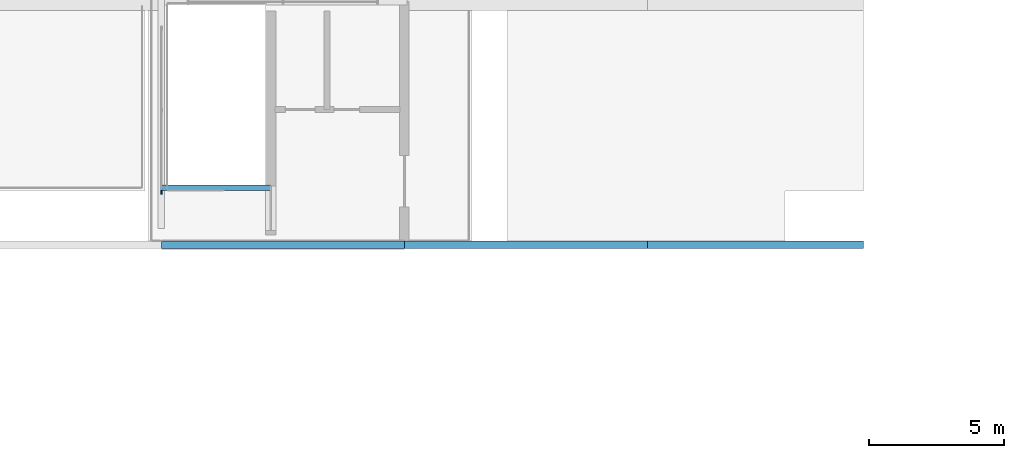
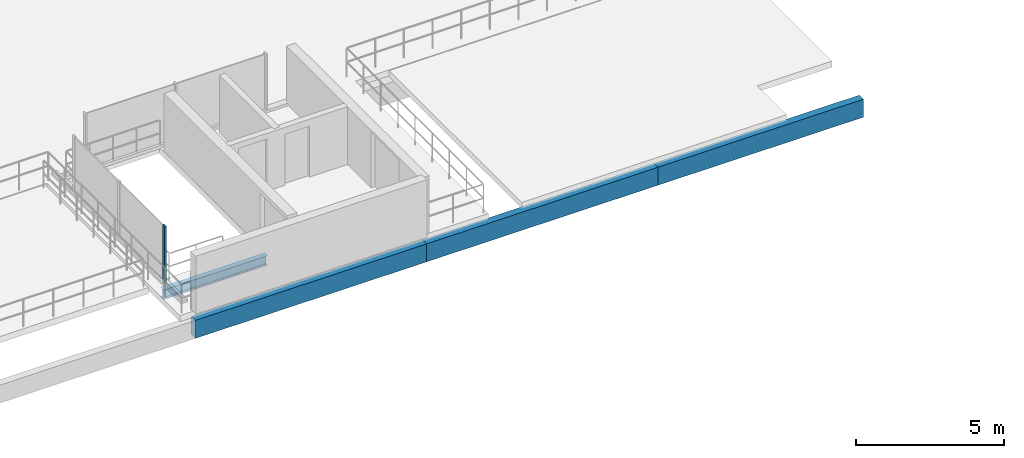
# One storey, part 12 of 50: 4 beams, 1 member, 1 element without a shape of its own.
"""IFC4 building model written with IfcOpenShell, lengths in metres."""

from ifc_helpers import new_model, si_unit, derived_unit, direction, frame, origin, origin_2d, place, context, subcontext, project, spatial, rectangle, i_section, extrude, material, layer, layer_set, material_profile, profile_set, type_object, element, aggregate, save


model = new_model("IFC4")

# Units and contexts
model_context = context("Model", 3, precision=1e-05, world=origin(), true_north=direction((0.0, 1.0)))
body_context = subcontext(model_context, "Body", "Model", "MODEL_VIEW")
ifc_project = project(units=[si_unit("LENGTHUNIT", "METRE"), si_unit("AREAUNIT", "SQUARE_METRE"), si_unit("VOLUMEUNIT", "CUBIC_METRE"), si_unit("PLANEANGLEUNIT", "RADIAN"), si_unit("MASSUNIT", "GRAM", prefix="KILO"), si_unit("THERMODYNAMICTEMPERATUREUNIT", "KELVIN"), derived_unit("THERMALTRANSMITTANCEUNIT", [(si_unit("POWERUNIT", "WATT"), 1), (si_unit("AREAUNIT", "SQUARE_METRE"), -1), (si_unit("THERMODYNAMICTEMPERATUREUNIT", "KELVIN"), -1)])], contexts=[model_context])

# Site, building, storey
site_placement = place(None, origin())
site = spatial("IfcSite", under=ifc_project, at=site_placement, CompositionType="ELEMENT")
building_placement = place(site_placement, origin())
building = spatial("IfcBuilding", under=site, at=building_placement, Name="Haiyu Intermodal Mobility Hub", CompositionType="ELEMENT")
storey_placement = place(building_placement, frame((0.0, 0.0, 25.10009765625)))
storey = spatial("IfcBuildingStorey", under=building, at=storey_placement, Name="L06", CompositionType="ELEMENT", Elevation=25.10009765625)

# Beams
ifc_material_1 = material(Name="Steel Q355C", Category="steel")
ifc_material_profile_1 = material_profile(ifc_material_1, i_section(OverallWidth=0.199951171875, OverallDepth=0.39990234375, WebThickness=0.008056640625, FlangeThickness=0.012939453125, FilletRadius=0.01611328125, at=origin_2d()), Name="HN400x200x8x13")
ifc_profile_set_1 = profile_set([ifc_material_profile_1], Name="Steel Q355C")
beam_type_1 = type_object("IfcBeamType", Name="BM-SB08", PredefinedType="JOIST", material=ifc_profile_set_1)
beam_1_placement = place(storey_placement, frame((120.0, 106.10009765625, -0.525146484375), z_axis=(1.0, 0.0, 0.0), x_axis=(0.0, 1.0, 0.0)))
element("IfcBeam", 1, at=beam_1_placement, inside=storey, type_object=beam_type_1, Name="Stair Arrival Trimmer Beam C6-L05", PredefinedType="JOIST", context=body_context, shape_type="SweptSolid", body=[
    extrude(i_section(OverallWidth=0.199951171875, OverallDepth=0.39990234375, WebThickness=0.008056640625, FlangeThickness=0.012939453125, FilletRadius=0.01611328125, at=origin_2d()), origin(), (0.0, 0.0, 1.0), 4.050048828125),
])
ifc_material_2 = material(Name="Precast concrete C40", Category="concrete")
ifc_material_profile_2 = material_profile(ifc_material_2, rectangle(XDim=0.280029296875, YDim=0.739990234375, at=origin_2d()), Name="B280x740")
ifc_profile_set_2 = profile_set([ifc_material_profile_2], Name="Precast concrete C40")
beam_type_2 = type_object("IfcBeamType", Name="BM-SP05", PredefinedType="SPANDREL", material=ifc_profile_set_2)
for number, where, z_axis, x_axis, name in (
    (2, (120.0, 104.0, -0.650146484375), (1.0, 0.0, 0.0), (0.0, 1.0, 0.0), "BM-V4G-L06-010"),
    (3, (129.0, 104.0, -0.650146484375), (1.0, 0.0, 0.0), (0.0, 1.0, 0.0), "BM-V4G-L06-011"),
):
    element("IfcBeam", number, at=place(storey_placement, frame(where, z_axis=z_axis, x_axis=x_axis)), inside=storey, type_object=beam_type_2, Name=name, PredefinedType="SPANDREL", context=body_context, shape_type="SweptSolid", body=[
        extrude(rectangle(XDim=0.280029296875, YDim=0.739990234375, at=origin_2d()), origin(), (0.0, 0.0, 1.0), 9.0),
    ])
beam_2_placement = place(storey_placement, frame((138.0, 104.0, -0.650146484375), z_axis=(1.0, 0.0, 0.0), x_axis=(0.0, 1.0, 0.0)))
element("IfcBeam", 4, at=beam_2_placement, inside=storey, type_object=beam_type_2, Name="BM-V4G-L06-012", PredefinedType="SPANDREL", context=body_context, shape_type="SweptSolid", body=[
    extrude(rectangle(XDim=0.280029296875, YDim=0.739990234375, at=origin_2d()), origin(), (0.0, 0.0, 1.0), 8.0),
])

# Curtain wall, member
ifc_material_3 = material(Name="Low-e laminated insulating glass", Category="glass")
ifc_layer = layer(ifc_material_3, 0.199951171875)
ifc_layer_set = layer_set([ifc_layer], Name="Low-e laminated insulating glass")
curtain_wall_type = type_object("IfcCurtainWallType", Name="CW-CW03", PredefinedType="NOTDEFINED", material=ifc_layer_set)
curtain_wall_placement = place(storey_placement, origin())
curtain_wall = element("IfcCurtainWall", 5, at=curtain_wall_placement, inside=storey, type_object=curtain_wall_type, Name="Curtain Wall CW-CPAR-C6-W", PredefinedType="NOTDEFINED")
ifc_material_4 = material(Name="Anodised aluminium 6063-T6", Category="aluminium")
ifc_material_profile_3 = material_profile(ifc_material_4, rectangle(XDim=0.06005859375, YDim=0.14501953125, at=origin_2d()), Name="ALU60x145")
ifc_profile_set_3 = profile_set([ifc_material_profile_3], Name="Anodised aluminium 6063-T6")
member_type = type_object("IfcMemberType", Name="CWM-ML03", PredefinedType="MULLION", material=ifc_profile_set_3)
member_placement = place(storey_placement, frame((120.0, 105.93994140625, 0.0), z_axis=(0.0, 0.0, 1.0), x_axis=(1.0, 0.0, 0.0)))
member = element("IfcMember", 6, at=member_placement, type_object=member_type, Name="CW-CPAR-C6-W-ML03", PredefinedType="MULLION", context=body_context, shape_type="SweptSolid", body=[
    extrude(rectangle(XDim=0.06005859375, YDim=0.14501953125, at=origin_2d()), origin(), (0.0, 0.0, 1.0), 2.380859375),
])
aggregate(curtain_wall, [member])

save(model, "model.ifc")
